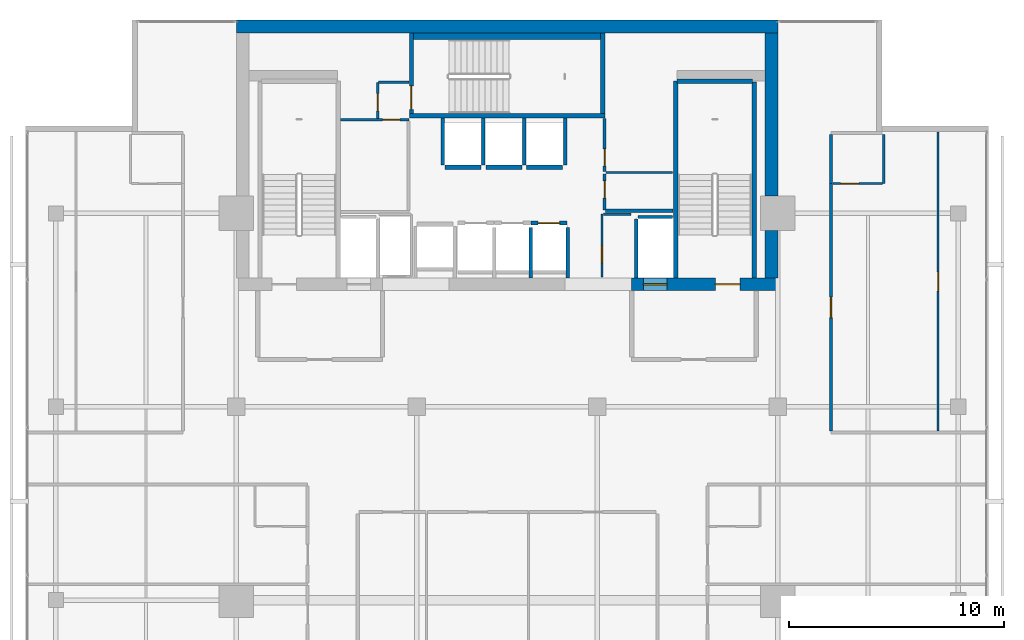
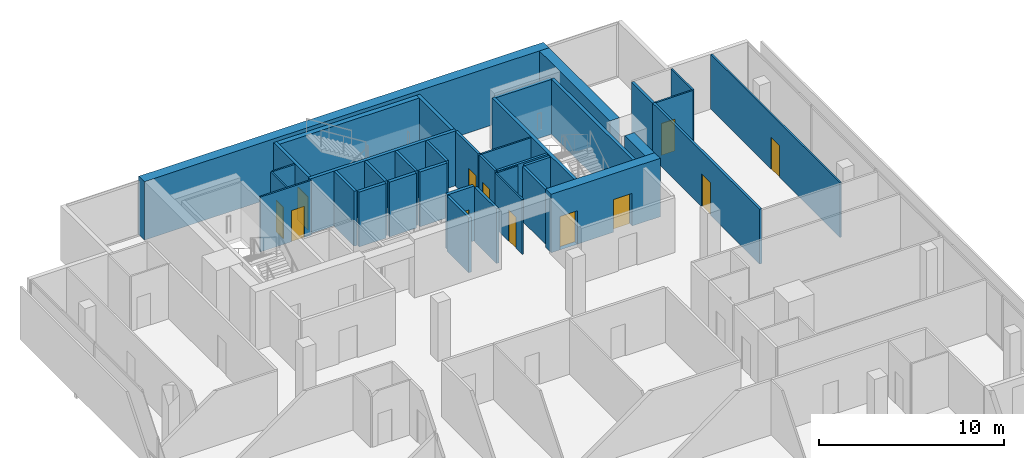
# One storey, part 22 of 25: 37 walls, 12 doors, 12 openings.
"""IFC4 building model written with IfcOpenShell, lengths in metres."""

from ifc_helpers import new_model, si_unit, direction, frame, frame_2d, origin, place, context, subcontext, project, spatial, rectangle, extrude, material, layer, layer_set, type_object, element, fill, save


model = new_model("IFC4")

# Units and contexts
model_context = context("Model", 3, precision=1e-05, world=origin(), true_north=direction((0.0, 1.0)))
body_context = subcontext(model_context, "Body", "Model", "MODEL_VIEW")
ifc_project = project(units=[si_unit("LENGTHUNIT", "METRE"), si_unit("AREAUNIT", "SQUARE_METRE"), si_unit("VOLUMEUNIT", "CUBIC_METRE"), si_unit("PLANEANGLEUNIT", "RADIAN"), si_unit("MASSUNIT", "GRAM", prefix="KILO")], contexts=[model_context])

# Site, building, storey
site_placement = place(None, origin())
site = spatial("IfcSite", under=ifc_project, at=site_placement, CompositionType="ELEMENT")
building_placement = place(site_placement, origin())
building = spatial("IfcBuilding", under=site, at=building_placement, Name="Maruvema Waterfront Hotel and Observation Tower", CompositionType="ELEMENT")
storey_placement = place(building_placement, frame((0.0, 0.0, 274.050048828125)))
storey = spatial("IfcBuildingStorey", under=building, at=storey_placement, Name="L67", CompositionType="ELEMENT", Elevation=274.050048828125)

# Wall, opening, door
ifc_material_1 = material(Name="Twin-stud acoustic gypsum drywall", Category="gypsum")
ifc_layer_1 = layer(ifc_material_1, 0.14990234375, Name="Acoustic Corridor and Suite Demising Wall 150 mm")
ifc_layer_set_1 = layer_set([ifc_layer_1], Name="Twin-stud acoustic gypsum drywall")
wall_type_1 = type_object("IfcWallType", Name="Acoustic Corridor and Suite Demising Wall 150 mm", PredefinedType="PARTITIONING", material=ifc_layer_set_1)
wall_1_placement = place(storey_placement, frame((42.340087890625, 45.159912109375, 0.0), z_axis=(0.0, 0.0, 1.0), x_axis=(0.0, 1.0, 0.0)))
wall_1 = element("IfcWall", 1, at=wall_1_placement, inside=storey, type_object=wall_type_1, Name="L67 Freed B2 West S 017", PredefinedType="PARTITIONING", context=body_context, shape_type="SweptSolid", body=[
    extrude(rectangle(XDim=1.68017578125, YDim=0.14990234375, at=frame_2d((0.840087890625, 0.0))), origin(), (0.0, 0.0, 1.0), 3.60986328125),
])
opening_1_placement = place(wall_1_placement, frame((0.550048828125, 0.0, 0.0)))
opening_1 = element("IfcOpeningElement", 2, at=opening_1_placement, cuts=wall_1, Name="Opening DR-080", PredefinedType="OPENING", context=body_context, shape_type="SweptSolid", body=[
    extrude(rectangle(XDim=0.800048828125, YDim=2.050048828125, at=frame_2d((0.39990234375, 1.02490234375))), frame((0.0, 0.0849609375, 0.0), z_axis=(0.0, -1.0, 0.0), x_axis=(1.0, 0.0, 0.0)), (0.0, 0.0, 1.0), 0.169921875),
])
ifc_material_2 = material(Name="Powder-coated steel access leaf", Category="steel")
door_type_1 = type_object("IfcDoorType", Name="Riser and Service Cupboard Door 800x2050 mm", OperationType="NOTDEFINED", PredefinedType="DOOR", material=ifc_material_2)
door_1_placement = place(opening_1_placement, frame((0.800048828125, 0.0, 0.0), z_axis=(0.0, 0.0, 1.0), x_axis=(-1.0, 0.0, 0.0)))
door_1 = element("IfcDoor", 3, at=door_1_placement, inside=storey, type_object=door_type_1, Name="L67 Butler Service Pantry Door", OperationType="SINGLE_SWING_RIGHT", OverallHeight=2.050048828125, OverallWidth=0.800048828125, PredefinedType="DOOR", context=body_context, shape_type="SweptSolid", body=[
    extrude(rectangle(XDim=0.800048828125, YDim=2.050048828125, at=frame_2d((0.39990234375, 1.02490234375))), frame((0.0, 0.02490234375, 0.0), z_axis=(0.0, -1.0, 0.0), x_axis=(1.0, 0.0, 0.0)), (0.0, 0.0, 1.0), 0.050048828125),
])
fill(opening_1, door_1)

wall_2_placement = place(storey_placement, frame((42.340087890625, 46.9599609375, 0.0), z_axis=(0.0, 0.0, 1.0), x_axis=(0.0, 1.0, 0.0)))
wall_2 = element("IfcWall", 4, at=wall_2_placement, inside=storey, type_object=wall_type_1, Name="L67 Freed B2 West N 018", PredefinedType="PARTITIONING", context=body_context, shape_type="SweptSolid", body=[
    extrude(rectangle(XDim=2.4599609375, YDim=0.14990234375, at=frame_2d((1.22998046875, 0.0))), origin(), (0.0, 0.0, 1.0), 3.60986328125),
])
opening_2_placement = place(wall_2_placement, frame((0.239990234375, 0.0, 0.0)))
opening_2 = element("IfcOpeningElement", 5, at=opening_2_placement, cuts=wall_2, Name="Opening DR-080", PredefinedType="OPENING", context=body_context, shape_type="SweptSolid", body=[
    extrude(rectangle(XDim=0.800048828125, YDim=2.050048828125, at=frame_2d((0.39990234375, 1.02490234375))), frame((0.0, 0.0849609375, 0.0), z_axis=(0.0, -1.0, 0.0), x_axis=(1.0, 0.0, 0.0)), (0.0, 0.0, 1.0), 0.169921875),
])
door_2_placement = place(opening_2_placement, frame((0.800048828125, 0.0, 0.0), z_axis=(0.0, 0.0, 1.0), x_axis=(-1.0, 0.0, 0.0)))
door_2 = element("IfcDoor", 6, at=door_2_placement, inside=storey, type_object=door_type_1, Name="L67 Core IT and Linen Store Door", OperationType="SINGLE_SWING_LEFT", OverallHeight=2.050048828125, OverallWidth=0.800048828125, PredefinedType="DOOR", context=body_context, shape_type="SweptSolid", body=[
    extrude(rectangle(XDim=0.800048828125, YDim=2.050048828125, at=frame_2d((0.39990234375, 1.02490234375))), frame((0.0, 0.02490234375, 0.0), z_axis=(0.0, -1.0, 0.0), x_axis=(1.0, 0.0, 0.0)), (0.0, 0.0, 1.0), 0.050048828125),
])
fill(opening_2, door_2)

# Wall
wall_3_placement = place(storey_placement, frame((42.3798828125, 45.1201171875, 0.0), z_axis=(0.0, 0.0, 1.0), x_axis=(1.0, 0.0, 0.0)))
element("IfcWall", 7, at=wall_3_placement, inside=storey, type_object=wall_type_1, Name="L67 Freed B2 South Wall 020", PredefinedType="PARTITIONING", context=body_context, shape_type="SweptSolid", body=[
    extrude(rectangle(XDim=3.14013671875, YDim=0.14990234375, at=frame_2d((1.570068359375, 0.0))), origin(), (0.0, 0.0, 1.0), 3.60986328125),
])

# Wall, opening, door
wall_4_placement = place(storey_placement, frame((52.8798828125, 34.860107421875, 0.0), z_axis=(0.0, 0.0, 1.0), x_axis=(0.0, 1.0, 0.0)))
wall_4 = element("IfcWall", 8, at=wall_4_placement, inside=storey, type_object=wall_type_1, Name="L67 Room L67-NE1 Corridor Wall 075", PredefinedType="PARTITIONING", context=body_context, shape_type="SweptSolid", body=[
    extrude(rectangle(XDim=11.52734375, YDim=0.14990234375, at=frame_2d((5.763671875, 0.0))), origin(), (0.0, 0.0, 1.0), 3.60986328125),
])
opening_3_placement = place(wall_4_placement, frame((5.288818359375, 0.0, 0.0)))
opening_3 = element("IfcOpeningElement", 9, at=opening_3_placement, cuts=wall_4, Name="Opening DR-095", PredefinedType="OPENING", context=body_context, shape_type="SweptSolid", body=[
    extrude(rectangle(XDim=0.949951171875, YDim=2.14990234375, at=frame_2d((0.47509765625, 1.074951171875))), frame((0.0, 0.0849609375, 0.0), z_axis=(0.0, -1.0, 0.0), x_axis=(1.0, 0.0, 0.0)), (0.0, 0.0, 1.0), 0.169921875),
])
ifc_material_3 = material(Name="Acoustic solid-core hardwood timber leaf", Category="wood")
door_type_2 = type_object("IfcDoorType", Name="Guestroom Entrance Fire Door 950x2150 mm", OperationType="NOTDEFINED", PredefinedType="DOOR", material=ifc_material_3)
door_3_placement = place(opening_3_placement, frame((0.949951171875, 0.0, 0.0), z_axis=(0.0, 0.0, 1.0), x_axis=(-1.0, 0.0, 0.0)))
door_3 = element("IfcDoor", 10, at=door_3_placement, inside=storey, type_object=door_type_2, Name="L67 Room L67-NE1 Entrance Door", OperationType="SINGLE_SWING_LEFT", OverallHeight=2.14990234375, OverallWidth=0.949951171875, PredefinedType="DOOR", context=body_context, shape_type="SweptSolid", body=[
    extrude(rectangle(XDim=0.949951171875, YDim=2.14990234375, at=frame_2d((0.47509765625, 1.074951171875))), frame((0.0, 0.02490234375, 0.0), z_axis=(0.0, -1.0, 0.0), x_axis=(1.0, 0.0, 0.0)), (0.0, 0.0, 1.0), 0.050048828125),
])
fill(opening_3, door_3)

# Walls
wall_5_placement = place(storey_placement, frame((52.8798828125, 46.387451171875, 0.0), z_axis=(0.0, 0.0, 1.0), x_axis=(0.0, 1.0, 0.0)))
element("IfcWall", 11, at=wall_5_placement, inside=storey, type_object=wall_type_1, Name="L67 Bath L67-NE1 Wall 076", PredefinedType="PARTITIONING", context=body_context, shape_type="SweptSolid", body=[
    extrude(rectangle(XDim=2.2900390625, YDim=0.14990234375, at=frame_2d((1.14501953125, 0.0))), origin(), (0.0, 0.0, 1.0), 3.60986328125),
])
ifc_material_4 = material(Name="Precast concrete C45/55", Category="concrete")
ifc_layer_2 = layer(ifc_material_4, 0.300048828125, Name="Core Shaft Furring Wall 300 mm")
ifc_layer_set_2 = layer_set([ifc_layer_2], Name="Precast concrete C45/55")
wall_type_2 = type_object("IfcWallType", Name="Core Shaft Furring Wall 300 mm", PredefinedType="SOLIDWALL", material=ifc_layer_set_2)
wall_6_placement = place(storey_placement, frame((33.449951171875, 53.25, 0.0), z_axis=(0.0, 0.0, 1.0), x_axis=(1.0, 0.0, 0.0)))
element("IfcWall", 12, at=wall_6_placement, inside=storey, type_object=wall_type_2, Name="L67 Stairwell ST-02 North Furring Wall", PredefinedType="SOLIDWALL", context=body_context, shape_type="SweptSolid", body=[
    extrude(rectangle(XDim=8.699951171875, YDim=0.300048828125, at=frame_2d((4.35009765625, 0.0))), origin(), (0.0, 0.0, 1.0), 3.60986328125),
])
ifc_material_5 = material(Name="Precast concrete C45/55", Category="concrete")
ifc_layer_3 = layer(ifc_material_5, 0.199951171875, Name="Core Shaft and Stairwell Enclosure Wall 200 mm")
ifc_layer_set_3 = layer_set([ifc_layer_3], Name="Precast concrete C45/55")
wall_type_3 = type_object("IfcWallType", Name="Core Shaft and Stairwell Enclosure Wall 200 mm", PredefinedType="SOLIDWALL", material=ifc_layer_set_3)
wall_7_placement = place(storey_placement, frame((33.25, 49.550048828125, 0.0), z_axis=(0.0, 0.0, 1.0), x_axis=(1.0, 0.0, 0.0)))
element("IfcWall", 13, at=wall_7_placement, inside=storey, type_object=wall_type_3, Name="L67 Stairwell ST-02 Shaft Wall", PredefinedType="SOLIDWALL", context=body_context, shape_type="SweptSolid", body=[
    extrude(rectangle(XDim=9.10009765625, YDim=0.199951171875, at=frame_2d((4.550048828125, 0.0))), origin(), (0.0, 0.0, 1.0), 3.60986328125),
])
wall_8_placement = place(storey_placement, frame((42.25, 49.64990234375, 0.0), z_axis=(0.0, 0.0, 1.0), x_axis=(0.0, 1.0, 0.0)))
element("IfcWall", 14, at=wall_8_placement, inside=storey, type_object=wall_type_3, Name="L67 Stairwell ST-02 Shaft Wall", PredefinedType="SOLIDWALL", context=body_context, shape_type="SweptSolid", body=[
    extrude(rectangle(XDim=3.75, YDim=0.199951171875, at=frame_2d((1.875, 0.0))), origin(), (0.0, 0.0, 1.0), 3.60986328125),
])

# Wall, opening, door
wall_9_placement = place(storey_placement, frame((33.35009765625, 49.64990234375, 0.0), z_axis=(0.0, 0.0, 1.0), x_axis=(0.0, 1.0, 0.0)))
wall_9 = element("IfcWall", 15, at=wall_9_placement, inside=storey, type_object=wall_type_3, Name="L67 Stairwell ST-02 Shaft Wall", PredefinedType="SOLIDWALL", context=body_context, shape_type="SweptSolid", body=[
    extrude(rectangle(XDim=3.75, YDim=0.199951171875, at=frame_2d((1.875, 0.0))), origin(), (0.0, 0.0, 1.0), 3.60986328125),
])
opening_4_placement = place(wall_9_placement, frame((0.179931640625, 0.0, 0.0)))
opening_4 = element("IfcOpeningElement", 16, at=opening_4_placement, cuts=wall_9, Name="Opening SD-02", PredefinedType="OPENING", context=body_context, shape_type="SweptSolid", body=[
    extrude(rectangle(XDim=1.10009765625, YDim=2.14990234375, at=frame_2d((0.550048828125, 1.074951171875))), frame((0.0, 0.10986328125, 0.0), z_axis=(0.0, -1.0, 0.0), x_axis=(1.0, 0.0, 0.0)), (0.0, 0.0, 1.0), 0.219970703125),
])
ifc_material_6 = material(Name="Fire-rated galvanised steel leaf", Category="steel")
door_type_3 = type_object("IfcDoorType", Name="Central Exit Stair Fire Door 1100x2150 mm", OperationType="NOTDEFINED", PredefinedType="DOOR", material=ifc_material_6)
door_4_placement = place(opening_4_placement, frame((1.10009765625, 0.0, 0.0), z_axis=(0.0, 0.0, 1.0), x_axis=(-1.0, 0.0, 0.0)))
door_4 = element("IfcDoor", 17, at=door_4_placement, inside=storey, type_object=door_type_3, Name="L67 Exit Stair ST-02 Fire Door", OperationType="SINGLE_SWING_LEFT", OverallHeight=2.14990234375, OverallWidth=1.10009765625, PredefinedType="DOOR", context=body_context, shape_type="SweptSolid", body=[
    extrude(rectangle(XDim=1.10009765625, YDim=2.14990234375, at=frame_2d((0.550048828125, 1.074951171875))), frame((0.0, 0.02490234375, 0.0), z_axis=(0.0, -1.0, 0.0), x_axis=(1.0, 0.0, 0.0)), (0.0, 0.0, 1.0), 0.050048828125),
])
fill(opening_4, door_4)

# Walls
wall_10_placement = place(storey_placement, frame((45.64990234375, 42.0, 0.0), z_axis=(0.0, 0.0, 1.0), x_axis=(0.0, 1.0, 0.0)))
element("IfcWall", 18, at=wall_10_placement, inside=storey, type_object=wall_type_3, Name="L67 Stairwell ST-03 West Shaft Wall", PredefinedType="SOLIDWALL", context=body_context, shape_type="SweptSolid", body=[
    extrude(rectangle(XDim=9.14990234375, YDim=0.199951171875, at=frame_2d((4.574951171875, 0.0))), origin(), (0.0, 0.0, 1.0), 3.60986328125),
])
wall_11_placement = place(storey_placement, frame((49.300048828125, 42.0, 0.0), z_axis=(0.0, 0.0, 1.0), x_axis=(0.0, 1.0, 0.0)))
element("IfcWall", 19, at=wall_11_placement, inside=storey, type_object=wall_type_3, Name="L67 Stairwell ST-03 Shaft Lining Wall", PredefinedType="SOLIDWALL", context=body_context, shape_type="SweptSolid", body=[
    extrude(rectangle(XDim=9.1201171875, YDim=0.199951171875, at=frame_2d((4.56005859375, 0.0))), origin(), (0.0, 0.0, 1.0), 3.60986328125),
])
wall_12_placement = place(storey_placement, frame((45.719970703125, 51.14990234375, 0.0), z_axis=(0.0, 0.0, 1.0), x_axis=(1.0, 0.0, 0.0)))
element("IfcWall", 20, at=wall_12_placement, inside=storey, type_object=wall_type_3, Name="L67 Stairwell ST-03 Shaft Lining Wall", PredefinedType="SOLIDWALL", context=body_context, shape_type="SweptSolid", body=[
    extrude(rectangle(XDim=3.5, YDim=0.199951171875, at=frame_2d((1.75, 0.0))), origin(), (0.0, 0.0, 1.0), 3.60986328125),
])

# Wall, opening, door
wall_13_placement = place(storey_placement, frame((38.909912109375, 44.550048828125, 0.0), z_axis=(0.0, 0.0, 1.0), x_axis=(1.0, 0.0, 0.0)))
wall_13 = element("IfcWall", 21, at=wall_13_placement, inside=storey, type_object=wall_type_3, Name="L67 Lift LF-11 Hoistway Front Wall", PredefinedType="SOLIDWALL", context=body_context, shape_type="SweptSolid", body=[
    extrude(rectangle(XDim=1.68017578125, YDim=0.199951171875, at=frame_2d((0.840087890625, 0.0))), origin(), (0.0, 0.0, 1.0), 3.60986328125),
])
opening_5_placement = place(wall_13_placement, frame((0.340087890625, 0.0, 0.0)))
opening_5 = element("IfcOpeningElement", 22, at=opening_5_placement, cuts=wall_13, Name="Opening LD-01", PredefinedType="OPENING", context=body_context, shape_type="SweptSolid", body=[
    extrude(rectangle(XDim=1.0, YDim=2.14990234375, at=frame_2d((0.5, 1.074951171875))), frame((0.0, 0.10986328125, 0.0), z_axis=(0.0, -1.0, 0.0), x_axis=(1.0, 0.0, 0.0)), (0.0, 0.0, 1.0), 0.219970703125),
])
ifc_material_7 = material(Name="Brushed stainless steel Grade 316", Category="steel")
door_type_4 = type_object("IfcDoorType", Name="Passenger Lift Sliding Landing Door 1000x2150 mm", OperationType="SLIDING_TO_LEFT", PredefinedType="DOOR", material=ifc_material_7)
door_5_placement = place(opening_5_placement, origin())
door_5 = element("IfcDoor", 23, at=door_5_placement, inside=storey, type_object=door_type_4, Name="L67 Lift LF-11 Sliding Landing Door", OperationType="SLIDING_TO_LEFT", OverallHeight=2.14990234375, OverallWidth=1.0, PredefinedType="DOOR", context=body_context, shape_type="SweptSolid", body=[
    extrude(rectangle(XDim=1.0, YDim=2.14990234375, at=frame_2d((0.5, 1.074951171875))), frame((0.0, 0.02490234375, 0.0), z_axis=(0.0, -1.0, 0.0), x_axis=(1.0, 0.0, 0.0)), (0.0, 0.0, 1.0), 0.050048828125),
])
fill(opening_5, door_5)

# Walls
wall_14_placement = place(storey_placement, frame((34.909912109375, 47.14990234375, 0.0), z_axis=(0.0, 0.0, 1.0), x_axis=(1.0, 0.0, 0.0)))
element("IfcWall", 24, at=wall_14_placement, inside=storey, type_object=wall_type_3, Name="L67 Lift LF-12 Hoistway Front Wall", PredefinedType="SOLIDWALL", context=body_context, shape_type="SweptSolid", body=[
    extrude(rectangle(XDim=1.68017578125, YDim=0.199951171875, at=frame_2d((0.840087890625, 0.0))), origin(), (0.0, 0.0, 1.0), 3.60986328125),
])
for number, where, z_axis, x_axis, name in (
    (25, (36.81005859375, 47.14990234375, 0.0), (0.0, 0.0, 1.0), (1.0, 0.0, 0.0), "L67 Lift LF-13 Hoistway Front Wall"),
    (26, (38.7099609375, 47.14990234375, 0.0), (0.0, 0.0, 1.0), (1.0, 0.0, 0.0), "L67 Lift LF-14 Hoistway Front Wall"),
):
    element("IfcWall", number, at=place(storey_placement, frame(where, z_axis=z_axis, x_axis=x_axis)), inside=storey, type_object=wall_type_3, Name=name, PredefinedType="SOLIDWALL", context=body_context, shape_type="SweptSolid", body=[
        extrude(rectangle(XDim=1.679931640625, YDim=0.199951171875, at=frame_2d((0.83984375, 0.0))), origin(), (0.0, 0.0, 1.0), 3.60986328125),
    ])
ifc_material_8 = material(Name="Concrete C60/75", Category="concrete")
ifc_layer_4 = layer(ifc_material_8, 0.60009765625, Name="Core Shear Wall 600 mm")
ifc_layer_set_4 = layer_set([ifc_layer_4], Name="Concrete C60/75")
wall_type_4 = type_object("IfcWallType", Name="Core Shear Wall 600 mm", PredefinedType="SHEAR", material=ifc_layer_set_4)
wall_15_placement = place(storey_placement, frame((25.199951171875, 53.699951171875, 0.0), z_axis=(0.0, 0.0, 1.0), x_axis=(1.0, 0.0, 0.0)))
element("IfcWall", 27, at=wall_15_placement, inside=storey, type_object=wall_type_4, Name="L67 North Core Shear Wall", PredefinedType="SHEAR", context=body_context, shape_type="SweptSolid", body=[
    extrude(rectangle(XDim=25.199951171875, YDim=0.60009765625, at=frame_2d((12.60009765625, 0.0))), origin(), (0.0, 0.0, 1.0), 3.849853515625),
])

# Wall, openings, doors
wall_16_placement = place(storey_placement, frame((43.60009765625, 41.699951171875, 0.0), z_axis=(0.0, 0.0, 1.0), x_axis=(1.0, 0.0, 0.0)))
wall_16 = element("IfcWall", 28, at=wall_16_placement, inside=storey, type_object=wall_type_4, Name="L67 South-East Core Shear Wall", PredefinedType="SHEAR", context=body_context, shape_type="SweptSolid", body=[
    extrude(rectangle(XDim=6.7998046875, YDim=0.60009765625, at=frame_2d((3.39990234375, 0.0))), origin(), (0.0, 0.0, 1.0), 3.849853515625),
])
opening_6_placement = place(wall_16_placement, frame((3.89990234375, 0.0, 0.0)))
opening_6 = element("IfcOpeningElement", 29, at=opening_6_placement, cuts=wall_16, Name="Opening SD-01", PredefinedType="OPENING", context=body_context, shape_type="SweptSolid", body=[
    extrude(rectangle(XDim=1.14990234375, YDim=2.14990234375, at=frame_2d((0.574951171875, 1.074951171875))), frame((0.0, 0.31005859375, 0.0), z_axis=(0.0, -1.0, 0.0), x_axis=(1.0, 0.0, 0.0)), (0.0, 0.0, 1.0), 0.6201171875),
])
opening_7_placement = place(wall_16_placement, frame((0.550048828125, 0.0, 0.0)))
opening_7 = element("IfcOpeningElement", 30, at=opening_7_placement, cuts=wall_16, Name="Opening LD-03", PredefinedType="OPENING", context=body_context, shape_type="SweptSolid", body=[
    extrude(rectangle(XDim=1.10009765625, YDim=2.199951171875, at=frame_2d((0.550048828125, 1.10009765625))), frame((0.0, 0.31005859375, 0.0), z_axis=(0.0, -1.0, 0.0), x_axis=(1.0, 0.0, 0.0)), (0.0, 0.0, 1.0), 0.6201171875),
])
ifc_material_9 = material(Name="Fire-rated galvanised steel leaf", Category="steel")
door_type_5 = type_object("IfcDoorType", Name="Exit Stair Fire Door 1150x2150 mm", OperationType="NOTDEFINED", PredefinedType="DOOR", material=ifc_material_9)
door_6_placement = place(opening_6_placement, origin())
door_6 = element("IfcDoor", 31, at=door_6_placement, inside=storey, type_object=door_type_5, Name="L67 Exit Stair ST-03 Fire Door", OperationType="SINGLE_SWING_RIGHT", OverallHeight=2.14990234375, OverallWidth=1.14990234375, PredefinedType="DOOR", context=body_context, shape_type="SweptSolid", body=[
    extrude(rectangle(XDim=1.14990234375, YDim=2.14990234375, at=frame_2d((0.574951171875, 1.074951171875))), frame((0.0, 0.02490234375, 0.0), z_axis=(0.0, -1.0, 0.0), x_axis=(1.0, 0.0, 0.0)), (0.0, 0.0, 1.0), 0.050048828125),
])
fill(opening_6, door_6)
ifc_material_10 = material(Name="Brushed stainless steel Grade 316", Category="steel")
door_type_6 = type_object("IfcDoorType", Name="Firefighting Lift Sliding Landing Door 1100x2200 mm", OperationType="SLIDING_TO_LEFT", PredefinedType="DOOR", material=ifc_material_10)
door_7_placement = place(opening_7_placement, frame((1.10009765625, 0.0, 0.0), z_axis=(0.0, 0.0, 1.0), x_axis=(-1.0, 0.0, 0.0)))
door_7 = element("IfcDoor", 32, at=door_7_placement, inside=storey, type_object=door_type_6, Name="L67 Firefighting Lift FL-02 Landing Door", OperationType="SLIDING_TO_LEFT", OverallHeight=2.199951171875, OverallWidth=1.10009765625, PredefinedType="DOOR", context=body_context, shape_type="SweptSolid", body=[
    extrude(rectangle(XDim=1.10009765625, YDim=2.199951171875, at=frame_2d((0.550048828125, 1.10009765625))), frame((0.0, 0.02490234375, 0.0), z_axis=(0.0, -1.0, 0.0), x_axis=(1.0, 0.0, 0.0)), (0.0, 0.0, 1.0), 0.050048828125),
])
fill(opening_7, door_7)

# Walls
wall_17_placement = place(storey_placement, frame((50.10009765625, 42.0, 0.0), z_axis=(0.0, 0.0, 1.0), x_axis=(0.0, 1.0, 0.0)))
element("IfcWall", 33, at=wall_17_placement, inside=storey, type_object=wall_type_4, Name="L67 East-South Core Shear Wall", PredefinedType="SHEAR", context=body_context, shape_type="SweptSolid", body=[
    extrude(rectangle(XDim=2.199951171875, YDim=0.60009765625, at=frame_2d((1.10009765625, 0.0))), origin(), (0.0, 0.0, 1.0), 3.849853515625),
])
wall_18_placement = place(storey_placement, frame((50.10009765625, 45.800048828125, 0.0), z_axis=(0.0, 0.0, 1.0), x_axis=(0.0, 1.0, 0.0)))
element("IfcWall", 34, at=wall_18_placement, inside=storey, type_object=wall_type_4, Name="L67 East-North Core Shear Wall", PredefinedType="SHEAR", context=body_context, shape_type="SweptSolid", body=[
    extrude(rectangle(XDim=7.599853515625, YDim=0.60009765625, at=frame_2d((3.7998046875, 0.0))), origin(), (0.0, 0.0, 1.0), 3.849853515625),
])

# Wall, opening, door
ifc_material_11 = material(Name="Moisture-resistant cement-board drywall", Category="gypsum")
ifc_layer_5 = layer(ifc_material_11, 0.10009765625, Name="En-Suite Moisture-Resistant Partition 100 mm")
ifc_layer_set_5 = layer_set([ifc_layer_5], Name="Moisture-resistant cement-board drywall")
wall_type_5 = type_object("IfcWallType", Name="En-Suite Moisture-Resistant Partition 100 mm", PredefinedType="PARTITIONING", material=ifc_layer_set_5)
wall_19_placement = place(storey_placement, frame((42.219970703125, 42.050048828125, 0.0), z_axis=(0.0, 0.0, 1.0), x_axis=(0.0, 1.0, 0.0)))
wall_19 = element("IfcWall", 35, at=wall_19_placement, inside=storey, type_object=wall_type_5, Name="L67 Core Closet K1 West 010", PredefinedType="PARTITIONING", context=body_context, shape_type="SweptSolid", body=[
    extrude(rectangle(XDim=2.909912109375, YDim=0.10009765625, at=frame_2d((1.455078125, 0.0))), origin(), (0.0, 0.0, 1.0), 3.60986328125),
])
opening_8_placement = place(wall_19_placement, frame((0.64990234375, 0.0, 0.0)))
opening_8 = element("IfcOpeningElement", 36, at=opening_8_placement, cuts=wall_19, Name="Opening DR-080", PredefinedType="OPENING", context=body_context, shape_type="SweptSolid", body=[
    extrude(rectangle(XDim=0.800048828125, YDim=2.050048828125, at=frame_2d((0.39990234375, 1.02490234375))), frame((0.0, 0.06005859375, 0.0), z_axis=(0.0, -1.0, 0.0), x_axis=(1.0, 0.0, 0.0)), (0.0, 0.0, 1.0), 0.1201171875),
])
door_8_placement = place(opening_8_placement, frame((0.800048828125, 0.0, 0.0), z_axis=(0.0, 0.0, 1.0), x_axis=(-1.0, 0.0, 0.0)))
door_8 = element("IfcDoor", 37, at=door_8_placement, inside=storey, type_object=door_type_1, Name="L67 Core Cleaning Store Door", OperationType="SINGLE_SWING_LEFT", OverallHeight=2.050048828125, OverallWidth=0.800048828125, PredefinedType="DOOR", context=body_context, shape_type="SweptSolid", body=[
    extrude(rectangle(XDim=0.800048828125, YDim=2.050048828125, at=frame_2d((0.39990234375, 1.02490234375))), frame((0.0, 0.02490234375, 0.0), z_axis=(0.0, -1.0, 0.0), x_axis=(1.0, 0.0, 0.0)), (0.0, 0.0, 1.0), 0.050048828125),
])
fill(opening_8, door_8)

# Wall
wall_20_placement = place(storey_placement, frame((42.280029296875, 44.9599609375, 0.0), z_axis=(0.0, 0.0, 1.0), x_axis=(1.0, 0.0, 0.0)))
element("IfcWall", 38, at=wall_20_placement, inside=storey, type_object=wall_type_5, Name="L67 Core Closet K1 North 011", PredefinedType="PARTITIONING", context=body_context, shape_type="SweptSolid", body=[
    extrude(rectangle(XDim=1.300048828125, YDim=0.10009765625, at=frame_2d((0.64990234375, 0.0))), origin(), (0.0, 0.0, 1.0), 3.60986328125),
])

# Wall, opening, door
wall_21_placement = place(storey_placement, frame((30.06005859375, 49.360107421875, 0.0), z_axis=(0.0, 0.0, 1.0), x_axis=(1.0, 0.0, 0.0)))
wall_21 = element("IfcWall", 39, at=wall_21_placement, inside=storey, type_object=wall_type_5, Name="L67 Freed B1 Mid Wall 014", PredefinedType="PARTITIONING", context=body_context, shape_type="SweptSolid", body=[
    extrude(rectangle(XDim=3.179931640625, YDim=0.10009765625, at=frame_2d((1.58984375, 0.0))), origin(), (0.0, 0.0, 1.0), 3.60986328125),
])
opening_9_placement = place(wall_21_placement, frame((1.949951171875, 0.0, 0.0)))
opening_9 = element("IfcOpeningElement", 40, at=opening_9_placement, cuts=wall_21, Name="Opening DR-080", PredefinedType="OPENING", context=body_context, shape_type="SweptSolid", body=[
    extrude(rectangle(XDim=0.800048828125, YDim=2.050048828125, at=frame_2d((0.39990234375, 1.02490234375))), frame((0.0, 0.06005859375, 0.0), z_axis=(0.0, -1.0, 0.0), x_axis=(1.0, 0.0, 0.0)), (0.0, 0.0, 1.0), 0.1201171875),
])
door_9_placement = place(opening_9_placement, origin())
door_9 = element("IfcDoor", 41, at=door_9_placement, inside=storey, type_object=door_type_1, Name="L67 Housekeeping and Linen Room Door", OperationType="SINGLE_SWING_RIGHT", OverallHeight=2.050048828125, OverallWidth=0.800048828125, PredefinedType="DOOR", context=body_context, shape_type="SweptSolid", body=[
    extrude(rectangle(XDim=0.800048828125, YDim=2.050048828125, at=frame_2d((0.39990234375, 1.02490234375))), frame((0.0, 0.02490234375, 0.0), z_axis=(0.0, -1.0, 0.0), x_axis=(1.0, 0.0, 0.0)), (0.0, 0.0, 1.0), 0.050048828125),
])
fill(opening_9, door_9)

wall_22_placement = place(storey_placement, frame((31.780029296875, 49.419921875, 0.0), z_axis=(0.0, 0.0, 1.0), x_axis=(0.0, 1.0, 0.0)))
wall_22 = element("IfcWall", 42, at=wall_22_placement, inside=storey, type_object=wall_type_5, Name="L67 Freed B1 NW East Wall 015", PredefinedType="PARTITIONING", context=body_context, shape_type="SweptSolid", body=[
    extrude(rectangle(XDim=1.68017578125, YDim=0.10009765625, at=frame_2d((0.840087890625, 0.0))), origin(), (0.0, 0.0, 1.0), 3.60986328125),
])
opening_10_placement = place(wall_22_placement, frame((0.35009765625, 0.0, 0.0)))
opening_10 = element("IfcOpeningElement", 43, at=opening_10_placement, cuts=wall_22, Name="Opening DR-080", PredefinedType="OPENING", context=body_context, shape_type="SweptSolid", body=[
    extrude(rectangle(XDim=0.800048828125, YDim=2.050048828125, at=frame_2d((0.39990234375, 1.02490234375))), frame((0.0, 0.06005859375, 0.0), z_axis=(0.0, -1.0, 0.0), x_axis=(1.0, 0.0, 0.0)), (0.0, 0.0, 1.0), 0.1201171875),
])
door_10_placement = place(opening_10_placement, origin())
door_10 = element("IfcDoor", 44, at=door_10_placement, inside=storey, type_object=door_type_1, Name="L67 Guest Floor Pantry Door", OperationType="SINGLE_SWING_LEFT", OverallHeight=2.050048828125, OverallWidth=0.800048828125, PredefinedType="DOOR", context=body_context, shape_type="SweptSolid", body=[
    extrude(rectangle(XDim=0.800048828125, YDim=2.050048828125, at=frame_2d((0.39990234375, 1.02490234375))), frame((0.0, 0.02490234375, 0.0), z_axis=(0.0, -1.0, 0.0), x_axis=(1.0, 0.0, 0.0)), (0.0, 0.0, 1.0), 0.050048828125),
])
fill(opening_10, door_10)

# Walls
wall_23_placement = place(storey_placement, frame((31.820068359375, 51.10009765625, 0.0), z_axis=(0.0, 0.0, 1.0), x_axis=(1.0, 0.0, 0.0)))
element("IfcWall", 45, at=wall_23_placement, inside=storey, type_object=wall_type_5, Name="L67 Freed B1 Vestibule North Wall 016", PredefinedType="PARTITIONING", context=body_context, shape_type="SweptSolid", body=[
    extrude(rectangle(XDim=1.419921875, YDim=0.10009765625, at=frame_2d((0.7099609375, 0.0))), origin(), (0.0, 0.0, 1.0), 3.60986328125),
])
wall_24_placement = place(storey_placement, frame((42.39990234375, 46.89990234375, 0.0), z_axis=(0.0, 0.0, 1.0), x_axis=(1.0, 0.0, 0.0)))
element("IfcWall", 46, at=wall_24_placement, inside=storey, type_object=wall_type_5, Name="L67 Freed B2 Split 019", PredefinedType="PARTITIONING", context=body_context, shape_type="SweptSolid", body=[
    extrude(rectangle(XDim=3.10009765625, YDim=0.10009765625, at=frame_2d((1.550048828125, 0.0))), origin(), (0.0, 0.0, 1.0), 3.60986328125),
])
wall_25_placement = place(storey_placement, frame((55.330078125, 46.387451171875, 0.0), z_axis=(0.0, 0.0, 1.0), x_axis=(0.0, 1.0, 0.0)))
element("IfcWall", 47, at=wall_25_placement, inside=storey, type_object=wall_type_5, Name="L67 En-Suite L67-NE1 E 077", PredefinedType="PARTITIONING", context=body_context, shape_type="SweptSolid", body=[
    extrude(rectangle(XDim=2.2900390625, YDim=0.10009765625, at=frame_2d((1.14501953125, 0.0))), origin(), (0.0, 0.0, 1.0), 3.60986328125),
])

# Wall, opening, door
wall_26_placement = place(storey_placement, frame((52.97998046875, 46.387451171875, 0.0), z_axis=(0.0, 0.0, 1.0), x_axis=(1.0, 0.0, 0.0)))
wall_26 = element("IfcWall", 48, at=wall_26_placement, inside=storey, type_object=wall_type_5, Name="L67 En-Suite L67-NE1 S 078", PredefinedType="PARTITIONING", context=body_context, shape_type="SweptSolid", body=[
    extrude(rectangle(XDim=2.300048828125, YDim=0.10009765625, at=frame_2d((1.14990234375, 0.0))), origin(), (0.0, 0.0, 1.0), 3.60986328125),
])
opening_11_placement = place(wall_26_placement, frame((0.35009765625, 0.0, 0.0)))
opening_11 = element("IfcOpeningElement", 49, at=opening_11_placement, cuts=wall_26, Name="Opening DR-085", PredefinedType="OPENING", context=body_context, shape_type="SweptSolid", body=[
    extrude(rectangle(XDim=0.85009765625, YDim=2.10009765625, at=frame_2d((0.425048828125, 1.050048828125))), frame((0.0, 0.06005859375, 0.0), z_axis=(0.0, -1.0, 0.0), x_axis=(1.0, 0.0, 0.0)), (0.0, 0.0, 1.0), 0.1201171875),
])
ifc_material_12 = material(Name="Moisture-resistant solid timber leaf", Category="wood")
door_type_7 = type_object("IfcDoorType", Name="En-Suite Bathroom Door 850x2100 mm", OperationType="NOTDEFINED", PredefinedType="DOOR", material=ifc_material_12)
door_11_placement = place(opening_11_placement, frame((0.85009765625, 0.0, 0.0), z_axis=(0.0, 0.0, 1.0), x_axis=(-1.0, 0.0, 0.0)))
door_11 = element("IfcDoor", 50, at=door_11_placement, inside=storey, type_object=door_type_7, Name="L67 En-Suite L67-NE1 Door", OperationType="SINGLE_SWING_RIGHT", OverallHeight=2.10009765625, OverallWidth=0.85009765625, PredefinedType="DOOR", context=body_context, shape_type="SweptSolid", body=[
    extrude(rectangle(XDim=0.85009765625, YDim=2.10009765625, at=frame_2d((0.425048828125, 1.050048828125))), frame((0.0, 0.02490234375, 0.0), z_axis=(0.0, -1.0, 0.0), x_axis=(1.0, 0.0, 0.0)), (0.0, 0.0, 1.0), 0.050048828125),
])
fill(opening_11, door_11)

wall_27_placement = place(storey_placement, frame((57.8623046875, 34.860107421875, 0.0), z_axis=(0.0, 0.0, 1.0), x_axis=(0.0, 1.0, 0.0)))
wall_27 = element("IfcWall", 51, at=wall_27_placement, inside=storey, type_object=wall_type_5, Name="L67 Suite L67-NE1 Split 079", PredefinedType="PARTITIONING", context=body_context, shape_type="SweptSolid", body=[
    extrude(rectangle(XDim=13.9375, YDim=0.10009765625, at=frame_2d((6.96875, 0.0))), origin(), (0.0, 0.0, 1.0), 3.60986328125),
])
opening_12_placement = place(wall_27_placement, frame((6.518798828125, 0.0, 0.0)))
opening_12 = element("IfcOpeningElement", 52, at=opening_12_placement, cuts=wall_27, Name="Opening DR-090", PredefinedType="OPENING", context=body_context, shape_type="SweptSolid", body=[
    extrude(rectangle(XDim=0.89990234375, YDim=2.10009765625, at=frame_2d((0.449951171875, 1.050048828125))), frame((0.0, 0.06005859375, 0.0), z_axis=(0.0, -1.0, 0.0), x_axis=(1.0, 0.0, 0.0)), (0.0, 0.0, 1.0), 0.1201171875),
])
ifc_material_13 = material(Name="Solid-core lacquered timber leaf", Category="wood")
door_type_8 = type_object("IfcDoorType", Name="Accessible Toilet and Room Door 900x2100 mm", OperationType="NOTDEFINED", PredefinedType="DOOR", material=ifc_material_13)
door_12_placement = place(opening_12_placement, frame((0.89990234375, 0.0, 0.0), z_axis=(0.0, 0.0, 1.0), x_axis=(-1.0, 0.0, 0.0)))
door_12 = element("IfcDoor", 53, at=door_12_placement, inside=storey, type_object=door_type_8, Name="L67 Suite L67-NE1 Bedroom Door", OperationType="SINGLE_SWING_RIGHT", OverallHeight=2.10009765625, OverallWidth=0.89990234375, PredefinedType="DOOR", context=body_context, shape_type="SweptSolid", body=[
    extrude(rectangle(XDim=0.89990234375, YDim=2.10009765625, at=frame_2d((0.449951171875, 1.050048828125))), frame((0.0, 0.02490234375, 0.0), z_axis=(0.0, -1.0, 0.0), x_axis=(1.0, 0.0, 0.0)), (0.0, 0.0, 1.0), 0.050048828125),
])
fill(opening_12, door_12)

# Walls
ifc_material_14 = material(Name="Precast concrete C45/55", Category="concrete")
ifc_layer_6 = layer(ifc_material_14, 0.159912109375, Name="Lift Hoistway Divider Wall 160 mm")
ifc_layer_set_6 = layer_set([ifc_layer_6], Name="Precast concrete C45/55")
wall_type_6 = type_object("IfcWallType", Name="Lift Hoistway Divider Wall 160 mm", PredefinedType="SOLIDWALL", material=ifc_layer_set_6)
wall_28_placement = place(storey_placement, frame((43.89990234375, 44.830078125, 0.0), z_axis=(0.0, 0.0, 1.0), x_axis=(1.0, 0.0, 0.0)))
element("IfcWall", 54, at=wall_28_placement, inside=storey, type_object=wall_type_6, Name="L67 Lift FL-02 Rear Hoistway Wall", PredefinedType="SOLIDWALL", context=body_context, shape_type="SweptSolid", body=[
    extrude(rectangle(XDim=1.60009765625, YDim=0.159912109375, at=frame_2d((0.800048828125, 0.0))), origin(), (0.0, 0.0, 1.0), 3.60986328125),
])
wall_29_placement = place(storey_placement, frame((43.820068359375, 42.0, 0.0), z_axis=(0.0, 0.0, 1.0), x_axis=(0.0, 1.0, 0.0)))
element("IfcWall", 55, at=wall_29_placement, inside=storey, type_object=wall_type_6, Name="L67 Lift FL-02 Inner Hoistway Wall", PredefinedType="SOLIDWALL", context=body_context, shape_type="SweptSolid", body=[
    extrude(rectangle(XDim=2.739990234375, YDim=0.159912109375, at=frame_2d((1.3701171875, 0.0))), origin(), (0.0, 0.0, 1.0), 3.60986328125),
])
for number, where, z_axis, x_axis, name in (
    (56, (38.89990234375, 42.0, 0.0), (0.0, 0.0, 1.0), (0.0, 1.0, 0.0), "L67 Hoistway Divider Wall"),
    (57, (40.6201171875, 42.0, 0.0), (0.0, 0.0, 1.0), (0.0, 1.0, 0.0), "L67 Hoistway Divider Wall"),
):
    element("IfcWall", number, at=place(storey_placement, frame(where, z_axis=z_axis, x_axis=x_axis)), inside=storey, type_object=wall_type_6, Name=name, PredefinedType="SOLIDWALL", context=body_context, shape_type="SweptSolid", body=[
        extrude(rectangle(XDim=2.35009765625, YDim=0.159912109375, at=frame_2d((1.175048828125, 0.0))), origin(), (0.0, 0.0, 1.0), 3.60986328125),
    ])
for number, where, z_axis, x_axis, name in (
    (58, (34.800048828125, 47.25, 0.0), (0.0, 0.0, 1.0), (0.0, 1.0, 0.0), "L67 Hoistway Divider Wall"),
    (59, (36.699951171875, 47.25, 0.0), (0.0, 0.0, 1.0), (0.0, 1.0, 0.0), "L67 Hoistway Divider Wall"),
    (60, (38.60009765625, 47.25, 0.0), (0.0, 0.0, 1.0), (0.0, 1.0, 0.0), "L67 Hoistway Divider Wall"),
    (61, (40.5, 47.25, 0.0), (0.0, 0.0, 1.0), (0.0, 1.0, 0.0), "L67 Hoistway Divider Wall"),
):
    element("IfcWall", number, at=place(storey_placement, frame(where, z_axis=z_axis, x_axis=x_axis)), inside=storey, type_object=wall_type_6, Name=name, PredefinedType="SOLIDWALL", context=body_context, shape_type="SweptSolid", body=[
        extrude(rectangle(XDim=2.18994140625, YDim=0.159912109375, at=frame_2d((1.094970703125, 0.0))), origin(), (0.0, 0.0, 1.0), 3.60986328125),
    ])

save(model, "model.ifc")
